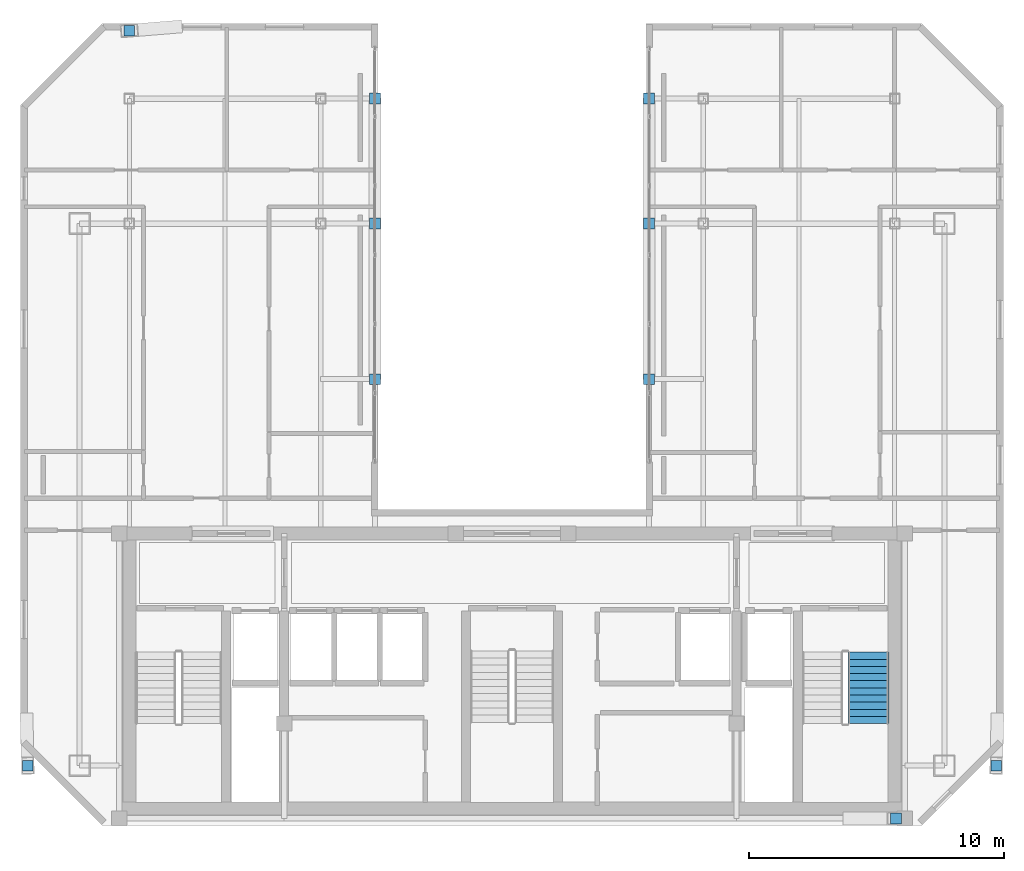
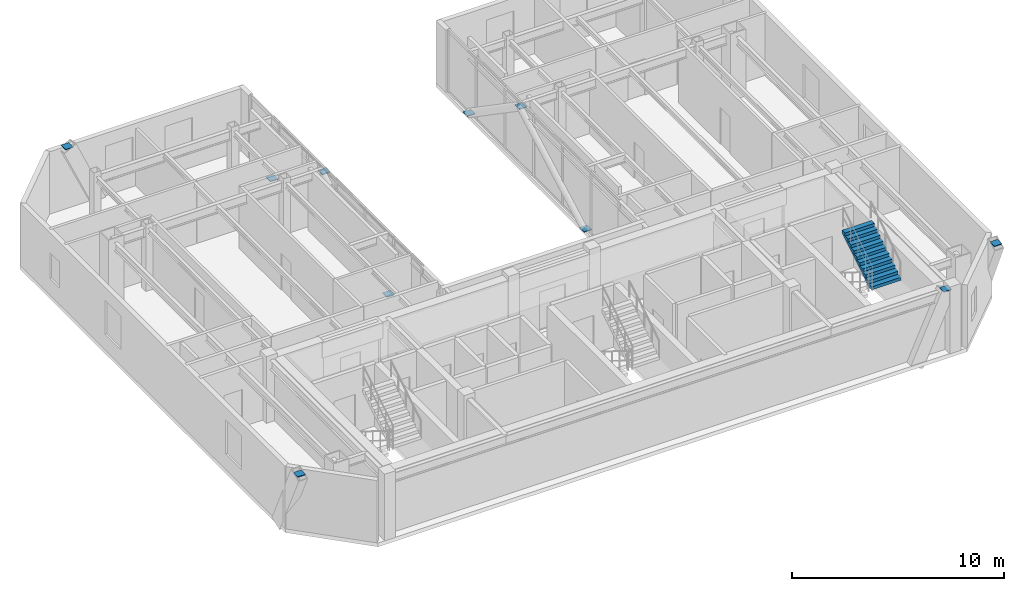
# One storey, part 18 of 19: 10 discrete accessories, 1 stair flight, 1 element without a shape of its own.
"""IFC4 building model written with IfcOpenShell, lengths in metres."""

from ifc_helpers import new_model, si_unit, direction, frame, origin, origin_2d, place, context, subcontext, project, spatial, polyline, rectangle, outline, extrude, material, type_object, element, aggregate, save


model = new_model("IFC4")

# Units and contexts
model_context = context("Model", 3, precision=1e-05, world=origin(), true_north=direction((0.0, 1.0)))
body_context = subcontext(model_context, "Body", "Model", "MODEL_VIEW")
ifc_project = project(units=[si_unit("LENGTHUNIT", "METRE"), si_unit("AREAUNIT", "SQUARE_METRE"), si_unit("VOLUMEUNIT", "CUBIC_METRE"), si_unit("PLANEANGLEUNIT", "RADIAN"), si_unit("MASSUNIT", "GRAM", prefix="KILO")], contexts=[model_context])

# Site, building, storey
site_placement = place(None, origin())
site = spatial("IfcSite", under=ifc_project, at=site_placement, CompositionType="ELEMENT")
building_placement = place(site_placement, origin())
building = spatial("IfcBuilding", under=site, at=building_placement, Name="Ventersveld Concourse Tower", CompositionType="ELEMENT")
storey_placement = place(building_placement, frame((0.0, 0.0, 345.199951171875)))
storey = spatial("IfcBuildingStorey", under=building, at=storey_placement, Name="L85", CompositionType="ELEMENT", Elevation=345.199951171875)

# Stair, stair flight
ifc_material_1 = material(Name="Concrete C50/60", Category="concrete")
stair_type = type_object("IfcStairType", Name="ST-DOG-160", PredefinedType="HALF_TURN_STAIR", material=ifc_material_1)
stair_placement = place(storey_placement, origin())
stair = element("IfcStair", 1, at=stair_placement, inside=storey, type_object=stair_type, Name="L85 Protected Tower Escape Stair ST-02", PredefinedType="HALF_TURN_STAIR")
stair_flight_type = type_object("IfcStairFlightType", Name="STF-RC-160", PredefinedType="STRAIGHT", material=ifc_material_1)
stair_flight_placement = place(storey_placement, frame((42.719970703125, 4.0, 1.925048828125), z_axis=(0.0, 0.0, 1.0), x_axis=(0.0, 1.0, 0.0)))
stair_flight = element("IfcStairFlight", 2, at=stair_flight_placement, type_object=stair_flight_type, Name="ST-02 flight 2", NumberOfRisers=11, NumberOfTreads=10, PredefinedType="STRAIGHT", RiserHeight=0.175, TreadLength=0.28, context=body_context, shape_type="SweptSolid", body=[
    extrude(outline(polyline([(0.0, 0.0), (0.0, 0.175048828125), (0.280029296875, 0.175048828125), (0.280029296875, 0.35009765625), (0.56005859375, 0.35009765625), (0.56005859375, 0.52490234375), (0.840087890625, 0.52490234375), (0.840087890625, 0.699951171875), (1.1201171875, 0.699951171875), (1.1201171875, 0.875), (1.39990234375, 0.875), (1.39990234375, 1.050048828125), (1.679931640625, 1.050048828125), (1.679931640625, 1.22509765625), (1.9599609375, 1.22509765625), (1.9599609375, 1.39990234375), (2.239990234375, 1.39990234375), (2.239990234375, 1.574951171875), (2.52001953125, 1.574951171875), (2.52001953125, 1.75), (2.800048828125, 1.75), (2.800048828125, 1.925048828125), (2.800048828125, 1.5732421875), (0.28271484375, 0.0), (0.0, 0.0)])), frame((0.0, 0.800048828125, 0.0), z_axis=(0.0, -1.0, 0.0), x_axis=(1.0, 0.0, 0.0)), (0.0, 0.0, 1.0), 1.60009765625),
])
aggregate(stair, [stair_flight])

# Discrete accessories
ifc_material_2 = material(Name="Structural steel S355J2", Category="steel")
discrete_accessory_type = type_object("IfcDiscreteAccessoryType", Name="CONN-BRACE-ECP1", PredefinedType="BRACKET", material=ifc_material_2)
for number, where, z_axis, x_axis, name in (
    (3, (23.3798828125, 17.5, -0.02001953125), (0.0, 0.0, 1.0), (1.0, 0.0, 0.0), "L85 Steel Brace End Connection Plate ECP1-0151"),
    (4, (23.3798828125, 23.60009765625, 3.35009765625), (0.0, 0.0, 1.0), (1.0, 0.0, 0.0), "L85 Steel Brace End Connection Plate ECP1-0152"),
    (5, (23.3798828125, 28.5, -0.02001953125), (0.0, 0.0, 1.0), (1.0, 0.0, 0.0), "L85 Steel Brace End Connection Plate ECP1-0153"),
    (6, (34.1201171875, 17.5, -0.02001953125), (0.0, 0.0, 1.0), (1.0, 0.0, 0.0), "L85 Steel Brace End Connection Plate ECP1-0154"),
    (7, (34.1201171875, 23.60009765625, 3.35009765625), (0.0, 0.0, 1.0), (1.0, 0.0, 0.0), "L85 Steel Brace End Connection Plate ECP1-0155"),
    (8, (34.1201171875, 28.5, -0.02001953125), (0.0, 0.0, 1.0), (1.0, 0.0, 0.0), "L85 Steel Brace End Connection Plate ECP1-0156"),
    (9, (13.75, 31.16259765625, 3.570068359375), (0.0, 0.0, 1.0), (1.0, 0.0, 0.0), "L85 Steel Brace End Connection Plate ECP1-0519"),
    (10, (43.800048828125, 0.280029296875, 3.570068359375), (0.0, 0.0, 1.0), (1.0, 0.0, 0.0), "L85 Steel Brace End Connection Plate ECP1-0523"),
    (11, (9.7705078125, 2.35009765625, 3.570068359375), (0.0, 0.0, 1.0), (1.0, 0.0, 0.0), "L85 Steel Brace End Connection Plate ECP1-0527"),
    (12, (47.7294921875, 2.35009765625, 3.570068359375), (0.0, 0.0, 1.0), (1.0, 0.0, 0.0), "L85 Steel Brace End Connection Plate ECP1-0531"),
):
    element("IfcDiscreteAccessory", number, at=place(storey_placement, frame(where, z_axis=z_axis, x_axis=x_axis)), inside=storey, type_object=discrete_accessory_type, Name=name, PredefinedType="BRACKET", context=body_context, shape_type="SweptSolid", body=[
        extrude(rectangle(XDim=0.419921875, YDim=0.419921875, at=origin_2d()), origin(), (0.0, 0.0, 1.0), 0.0400390625),
    ])

save(model, "model.ifc")
